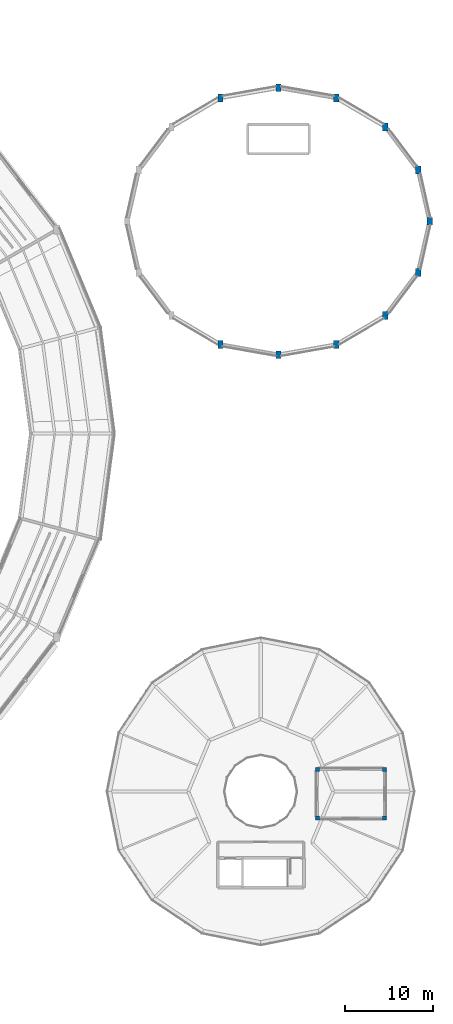
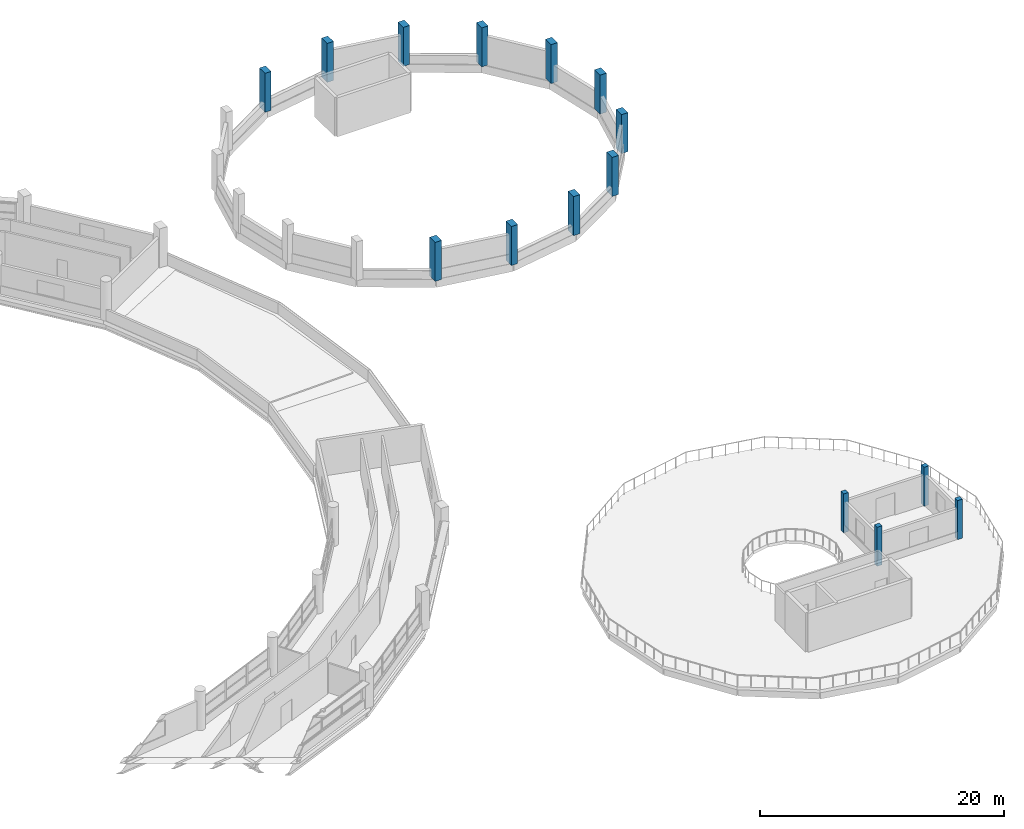
# One storey, part 2 of 108: 15 columns.
"""IFC4 building model written with IfcOpenShell, lengths in metres."""

from ifc_helpers import new_model, si_unit, direction, frame, origin, origin_2d, place, context, subcontext, project, spatial, rectangle, extrude, material, material_profile, profile_set, type_object, element, save


model = new_model("IFC4")

# Units and contexts
model_context = context("Model", 3, precision=1e-05, world=origin(), true_north=direction((0.0, 1.0)))
body_context = subcontext(model_context, "Body", "Model", "MODEL_VIEW")
ifc_project = project(units=[si_unit("LENGTHUNIT", "METRE"), si_unit("AREAUNIT", "SQUARE_METRE"), si_unit("VOLUMEUNIT", "CUBIC_METRE"), si_unit("PLANEANGLEUNIT", "RADIAN"), si_unit("MASSUNIT", "GRAM", prefix="KILO")], contexts=[model_context])

# Site, building, storey
site_placement = place(None, origin())
site = spatial("IfcSite", under=ifc_project, at=site_placement, CompositionType="ELEMENT")
building_placement = place(site_placement, origin())
building = spatial("IfcBuilding", under=site, at=building_placement, Name="Vespera Passage Community Centre", CompositionType="ELEMENT")
storey_placement = place(building_placement, frame((0.0, 0.0, 12.60009765625)))
storey = spatial("IfcBuildingStorey", under=building, at=storey_placement, Name="L03", CompositionType="ELEMENT", Elevation=12.60009765625)

# Columns
ifc_material_1 = material(Name="Concrete f'c 45 MPa", Category="concrete")
ifc_material_profile_1 = material_profile(ifc_material_1, rectangle(XDim=0.449951171875, YDim=0.449951171875, at=origin_2d()), Name="RC450X450")
ifc_profile_set_1 = profile_set([ifc_material_profile_1], Name="Concrete f'c 45 MPa")
column_type_1 = type_object("IfcColumnType", Name="COL-RC450I", PredefinedType="COLUMN", material=ifc_profile_set_1)
for number, where, z_axis, x_axis, name in (
    (1, (147.39990234375, 22.0, 0.0), (0.0, 0.0, 1.0), (1.0, 0.0, 0.0), "L03 Column V3-CONS-1"),
    (2, (155.0, 22.0, 0.0), (0.0, 0.0, 1.0), (1.0, 0.0, 0.0), "L03 Column V3-CONS-2"),
    (3, (155.0, 27.5, 0.0), (0.0, 0.0, 1.0), (1.0, 0.0, 0.0), "L03 Column V3-CONS-3"),
    (4, (147.39990234375, 27.5, 0.0), (0.0, 0.0, 1.0), (1.0, 0.0, 0.0), "L03 Column V3-CONS-4"),
):
    element("IfcColumn", number, at=place(storey_placement, frame(where, z_axis=z_axis, x_axis=x_axis)), inside=storey, type_object=column_type_1, Name=name, PredefinedType="COLUMN", context=body_context, shape_type="SweptSolid", body=[
        extrude(rectangle(XDim=0.449951171875, YDim=0.449951171875, at=origin_2d()), origin(), (0.0, 0.0, 1.0), 3.89990234375),
    ])
ifc_material_2 = material(Name="Concrete f'c 45 MPa", Category="concrete")
ifc_material_profile_2 = material_profile(ifc_material_2, rectangle(XDim=0.60009765625, YDim=0.89990234375, at=origin_2d()), Name="RC900X600")
ifc_profile_set_2 = profile_set([ifc_material_profile_2], Name="Concrete f'c 45 MPa")
column_type_2 = type_object("IfcColumnType", Name="COL-RC900X600E", PredefinedType="COLUMN", material=ifc_profile_set_2)
for number, where, z_axis, x_axis, name in (
    (5, (160.10009765625, 89.5, 0.0), (0.0, 0.0, 1.0), (1.0, 0.0, 0.0), "L03 Column V2-P01"),
    (6, (158.79833984375, 95.278564453125, 0.0), (0.0, 0.0, 1.0), (1.0, 0.0, 0.0), "L03 Column V2-P02"),
    (7, (155.091552734375, 100.17724609375, 0.0), (0.0, 0.0, 1.0), (1.0, 0.0, 0.0), "L03 Column V2-P03"),
    (8, (149.5439453125, 103.45068359375, 0.0), (0.0, 0.0, 1.0), (1.0, 0.0, 0.0), "L03 Column V2-P04"),
    (9, (143.0, 104.60009765625, 0.0), (0.0, 0.0, 1.0), (1.0, 0.0, 0.0), "L03 Column V2-P05"),
    (10, (136.4560546875, 103.45068359375, 0.0), (0.0, 0.0, 1.0), (1.0, 0.0, 0.0), "L03 Column V2-P06"),
    (11, (136.4560546875, 75.54931640625, 0.0), (0.0, 0.0, 1.0), (1.0, 0.0, 0.0), "L03 Column V2-P12"),
    (12, (143.0, 74.39990234375, 0.0), (0.0, 0.0, 1.0), (1.0, 0.0, 0.0), "L03 Column V2-P13"),
    (13, (149.5439453125, 75.54931640625, 0.0), (0.0, 0.0, 1.0), (1.0, 0.0, 0.0), "L03 Column V2-P14"),
    (14, (155.091552734375, 78.82275390625, 0.0), (0.0, 0.0, 1.0), (1.0, 0.0, 0.0), "L03 Column V2-P15"),
    (15, (158.79833984375, 83.721435546875, 0.0), (0.0, 0.0, 1.0), (1.0, 0.0, 0.0), "L03 Column V2-P16"),
):
    element("IfcColumn", number, at=place(storey_placement, frame(where, z_axis=z_axis, x_axis=x_axis)), inside=storey, type_object=column_type_2, Name=name, PredefinedType="COLUMN", context=body_context, shape_type="SweptSolid", body=[
        extrude(rectangle(XDim=0.60009765625, YDim=0.89990234375, at=origin_2d()), origin(), (0.0, 0.0, 1.0), 3.89990234375),
    ])

save(model, "model.ifc")
